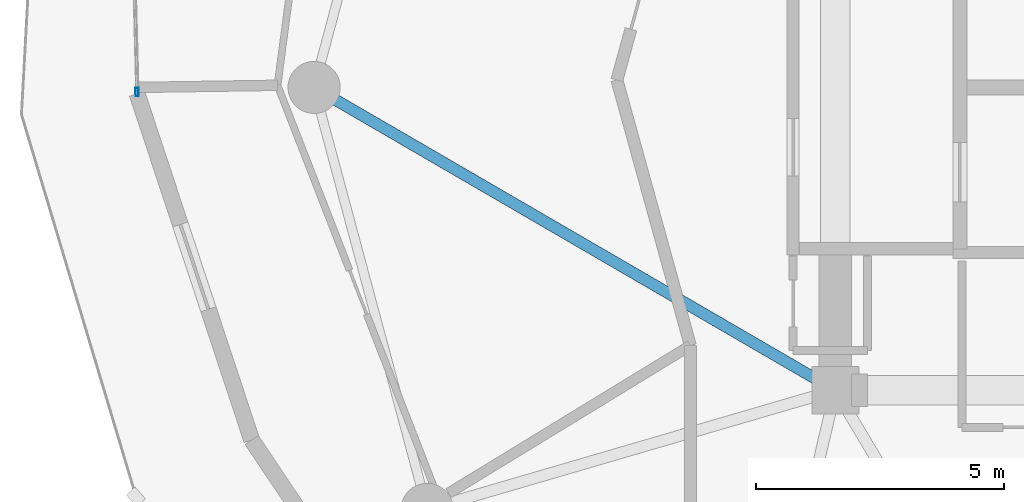
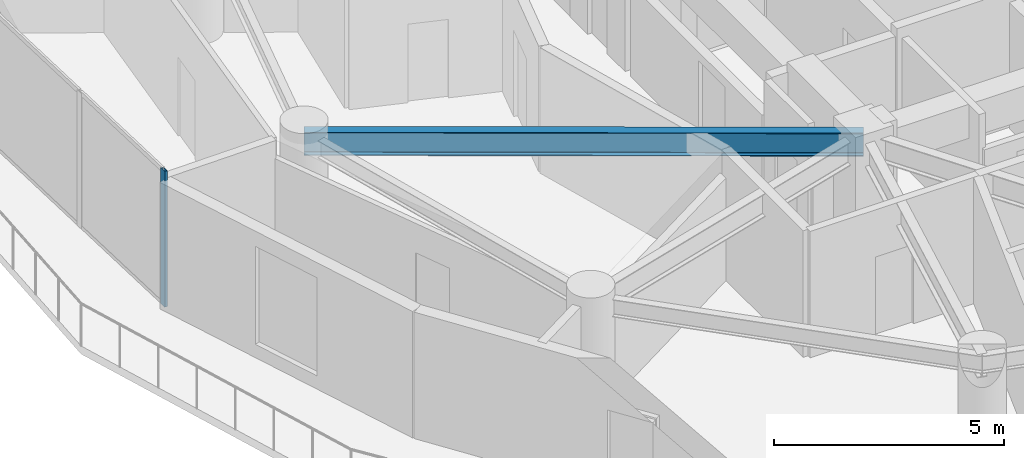
# One storey, part 4 of 20: 1 beam, 1 member, 1 element without a shape of its own.
"""IFC4 building model written with IfcOpenShell, lengths in metres."""

from ifc_helpers import new_model, si_unit, direction, frame, origin, origin_2d, place, context, subcontext, project, spatial, hollow_rectangle, i_section, extrude, source, transform, mapped, material, layer, layer_set, material_profile, profile_set, type_object, element, aggregate, save


model = new_model("IFC4")

# Units and contexts
model_context = context("Model", 3, precision=1e-05, world=origin(), true_north=direction((0.0, 1.0)))
body_context = subcontext(model_context, "Body", "Model", "MODEL_VIEW")
ifc_project = project(units=[si_unit("LENGTHUNIT", "METRE"), si_unit("AREAUNIT", "SQUARE_METRE"), si_unit("VOLUMEUNIT", "CUBIC_METRE"), si_unit("PLANEANGLEUNIT", "RADIAN"), si_unit("MASSUNIT", "GRAM", prefix="KILO")], contexts=[model_context])

# Site, building, storey
site_placement = place(None, origin())
site = spatial("IfcSite", under=ifc_project, at=site_placement, CompositionType="ELEMENT")
building_placement = place(site_placement, origin())
building = spatial("IfcBuilding", under=site, at=building_placement, Name="Solvirekh Grand Hotel", CompositionType="ELEMENT")
storey_placement = place(building_placement, frame((0.0, 0.0, 156.60009765625)))
storey = spatial("IfcBuildingStorey", under=building, at=storey_placement, Name="L40", CompositionType="ELEMENT", Elevation=156.60009765625)

# Beam
ifc_material_1 = material(Name="Steel S355", Category="steel")
ifc_material_profile_1 = material_profile(ifc_material_1, i_section(OverallWidth=0.22802734375, OverallDepth=0.616943359375, WebThickness=0.012939453125, FlangeThickness=0.02001953125, FilletRadius=0.014892578125, at=origin_2d()), Name="W610X140")
ifc_profile_set_1 = profile_set([ifc_material_profile_1], Name="Steel S355")
beam_type = type_object("IfcBeamType", Name="Beam_Radial_W610", PredefinedType="BEAM", material=ifc_profile_set_1)
beam_placement = place(storey_placement, frame((-6.5, -6.10009765625, 3.041015625), z_axis=(-0.864670076815, 0.50234018181, 0.0), x_axis=(-0.50234018181, -0.864670076815, 0.0)))
element("IfcBeam", 1, at=beam_placement, inside=storey, type_object=beam_type, Name="L40 radial floor beam R07", PredefinedType="BEAM", context=body_context, shape_type="SweptSolid", body=[
    extrude(i_section(OverallWidth=0.22802734375, OverallDepth=0.616943359375, WebThickness=0.012939453125, FlangeThickness=0.02001953125, FilletRadius=0.014892578125, at=origin_2d()), origin(), (0.0, 0.0, 1.0), 12.143310546875),
])

# Curtain wall, member
ifc_material_2 = material(Name="Anodized Bronze Aluminium 6063-T6", Category="aluminium")
ifc_layer = layer(ifc_material_2, 0.175048828125)
ifc_layer_set = layer_set([ifc_layer], Name="Anodized Bronze Aluminium 6063-T6")
curtain_wall_type = type_object("IfcCurtainWallType", Name="CW_Sys3_MidZoneFlushBronzeCW", PredefinedType="NOTDEFINED", material=ifc_layer_set)
curtain_wall_placement = place(storey_placement, origin())
curtain_wall = element("IfcCurtainWall", 2, at=curtain_wall_placement, inside=storey, type_object=curtain_wall_type, Name="L40 unitised bronze-glass curtain wall CW-L40-C13", PredefinedType="NOTDEFINED")
ifc_material_profile_2 = material_profile(ifc_material_2, hollow_rectangle(XDim=0.06494140625, YDim=0.175048828125, WallThickness=0.0048828125, at=origin_2d()), Name="ALU RHS 175X65X5")
ifc_profile_set_2 = profile_set([ifc_material_profile_2], Name="Anodized Bronze Aluminium 6063-T6")
member_type = type_object("IfcMemberType", Name="CWMullion_Sys3", PredefinedType="MULLION", material=ifc_profile_set_2)
shared_shape = source(origin(), body_context, "Body", "SweptSolid", [
    extrude(hollow_rectangle(XDim=0.06494140625, YDim=0.175048828125, WallThickness=0.0048828125, at=origin_2d()), origin(), (0.0, 0.0, 1.0), 3.599853515625),
])
member_placement = place(storey_placement, frame((-20.56591796875, -0.094482421875, 0.0), z_axis=(0.0, 0.0, 1.0), x_axis=(0.999657179073, 0.026182519496, 0.0)))
member = element("IfcMember", 3, at=member_placement, type_object=member_type, Name="U03 mullion 3", PredefinedType="MULLION", context=body_context, shape_type="MappedRepresentation", body=[
    mapped(shared_shape, transform((0.0, 0.0, 0.0), x_axis=(1.0, 0.0, 0.0), y_axis=(0.0, 1.0, 0.0), z_axis=(0.0, 0.0, 1.0), scale=1.0)),
])
aggregate(curtain_wall, [member])

save(model, "model.ifc")
